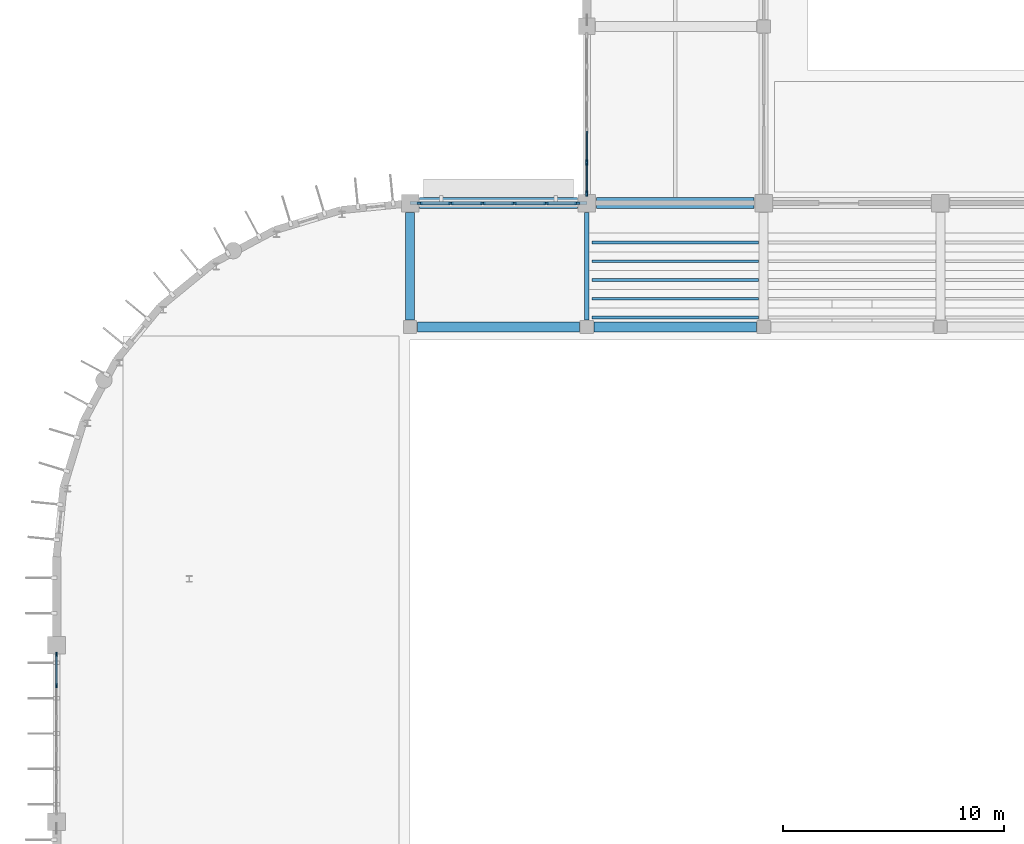
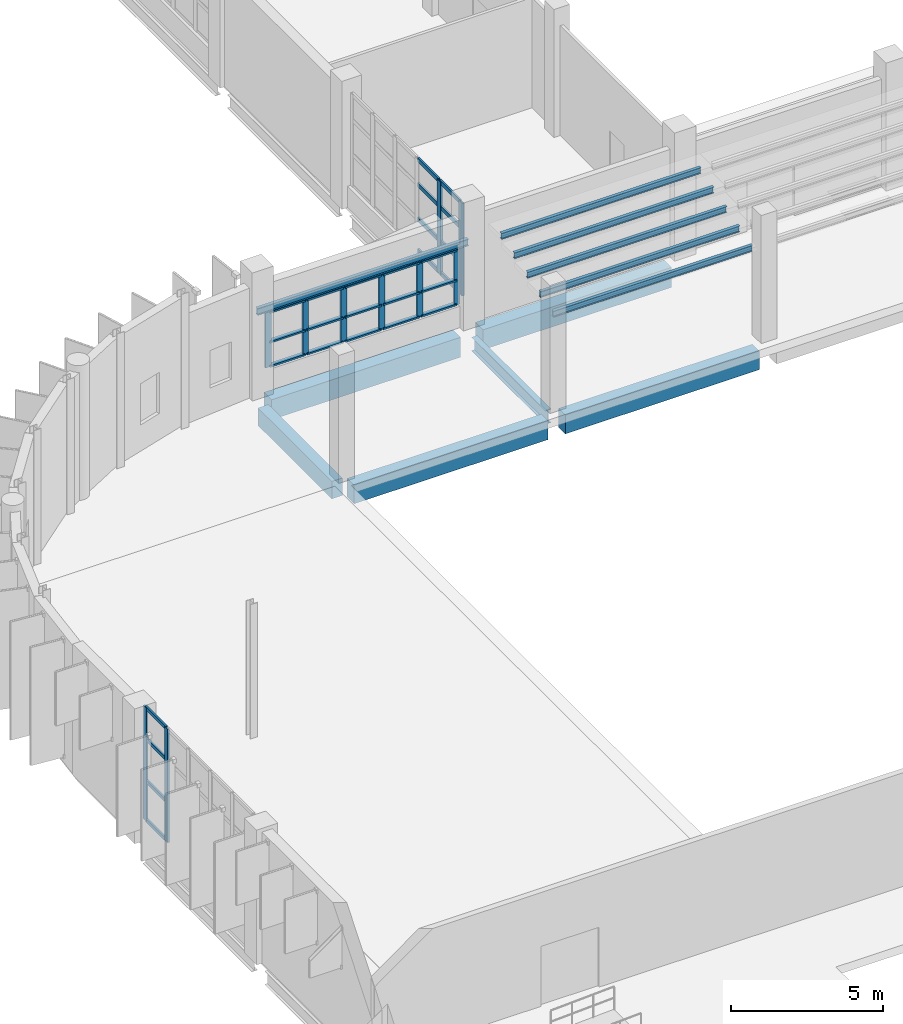
# One storey, part 26 of 103: 37 members, 12 beams, 3 elements without a shape of their own.
"""IFC4 building model written with IfcOpenShell, lengths in metres."""

import ifcopenshell
import ifcopenshell.guid

model = None  # the IFC model being written
_history = None  # IfcOwnerHistory: only IFC2X3 demands one
_inside = {}  # id of a spatial element -> (the spatial element, [elements in it])
_under = {}  # id of a project, library or spatial element -> (it, [spatial elements below it])
_declared = {}  # id of a project -> (the project, [libraries it declares])
_typed = {}  # id of a type object -> (the type object, [elements of that type])
_made_of = {}  # id of a material, layer set ... -> (it, [elements and type objects made of it])


def new_model(schema):
    """Start an empty IFC model of exactly this schema.

    Asked for "IFC4X3", IfcOpenShell would pick the latest addendum, in which some entities
    have other attributes; the version numbers below select the first issue.
    IFC2X3 requires an IfcOwnerHistory on every rooted entity: one is made here for all.
    """
    global model, _history
    if schema == "IFC4X3":
        model = ifcopenshell.file(schema_version=(4, 3, 0, 0))
    else:
        model = ifcopenshell.file(schema=schema)
    _inside.clear()
    _under.clear()
    _declared.clear()
    _typed.clear()
    _made_of.clear()
    _history = None
    if model.schema == "IFC2X3":
        org = make("IfcOrganization", Name="unknown")
        user = make(
            "IfcPersonAndOrganization",
            ThePerson=make("IfcPerson", FamilyName="unknown"),
            TheOrganization=org,
        )
        app = make(
            "IfcApplication",
            ApplicationDeveloper=org,
            Version="unknown",
            ApplicationFullName="unknown",
            ApplicationIdentifier="unknown",
        )
        _history = make(
            "IfcOwnerHistory",
            OwningUser=user,
            OwningApplication=app,
            ChangeAction="ADDED",
            CreationDate=0,
        )
    return model


def make(cls, **values):
    """One entity of the class cls with the attributes given. An attribute that is None is left unset."""
    return model.create_entity(
        cls, **{name: value for name, value in values.items() if value is not None}
    )


def rooted(cls, **values):
    """An entity with a GlobalId (a new one), such as an element, a storey or a relation."""
    return make(cls, GlobalId=ifcopenshell.guid.new(), OwnerHistory=_history, **values)


def si_unit(unit_type, name, prefix=None):
    """IfcSIUnit, for example si_unit("LENGTHUNIT", "METRE", prefix="MILLI")."""
    return make("IfcSIUnit", UnitType=unit_type, Prefix=prefix, Name=name)


def assignment(units):
    """IfcUnitAssignment: the units of a project."""
    return None if units is None else make("IfcUnitAssignment", Units=units)


def point(xyz):
    """IfcCartesianPoint."""
    return None if xyz is None else make("IfcCartesianPoint", Coordinates=xyz)


def direction(xyz):
    """IfcDirection."""
    return None if xyz is None else make("IfcDirection", DirectionRatios=xyz)


def frame(location, z_axis=None, x_axis=None):
    """IfcAxis2Placement3D, a coordinate frame: its origin and axes. An axis left out is left unset."""
    return make(
        "IfcAxis2Placement3D",
        Location=point(location),
        Axis=direction(z_axis),
        RefDirection=direction(x_axis),
    )


def frame_2d(location, x_axis=None):
    """IfcAxis2Placement2D, a coordinate frame in the plane: its origin and x axis."""
    return make(
        "IfcAxis2Placement2D", Location=point(location), RefDirection=direction(x_axis)
    )


def origin():
    """The frame at (0, 0, 0) with its axes left unset."""
    return frame((0.0, 0.0, 0.0))


def origin_2d():
    """The frame at (0, 0) in the plane with its x axis left unset."""
    return frame_2d((0.0, 0.0))


def place(relative_to, where):
    """IfcLocalPlacement: puts the frame where relative to a parent placement (None: the world)."""
    return make(
        "IfcLocalPlacement", PlacementRelTo=relative_to, RelativePlacement=where
    )


def context(
    kind, dimensions, precision=None, world=None, true_north=None, identifier=None
):
    """IfcGeometricRepresentationContext, for example the 3D "Model" context."""
    return make(
        "IfcGeometricRepresentationContext",
        ContextIdentifier=identifier,
        ContextType=kind,
        CoordinateSpaceDimension=dimensions,
        Precision=precision,
        WorldCoordinateSystem=world,
        TrueNorth=true_north,
    )


def subcontext(parent, identifier, kind, view, scale=None):
    """IfcGeometricRepresentationSubContext, for example "Body" below "Model"."""
    return make(
        "IfcGeometricRepresentationSubContext",
        ContextIdentifier=identifier,
        ContextType=kind,
        ParentContext=parent,
        TargetScale=scale,
        TargetView=view,
    )


def project(units=None, contexts=None):
    """IfcProject with its units and contexts."""
    return rooted(
        "IfcProject",
        Name="project",
        RepresentationContexts=contexts,
        UnitsInContext=assignment(units),
    )


def spatial(cls, under=None, at=None, **own):
    """A site, building, storey or space (cls), placed at a placement, below another one or the project."""
    s = rooted(cls, ObjectPlacement=at, **own)
    if under is not None:
        _under.setdefault(under.id(), (under, []))[1].append(s)
    return s


def profile(cls, at=None, kind="AREA", **sizes):
    """A parametric profile (cls). Its sizes go by their IFC names, for example OverallWidth=200.0."""
    return make(cls, ProfileType=kind, Position=at, **sizes)


def rectangle(**sizes):
    """IfcRectangleProfileDef."""
    return profile("IfcRectangleProfileDef", **sizes)


def i_section(**sizes):
    """IfcIShapeProfileDef."""
    return profile("IfcIShapeProfileDef", **sizes)


def extrude(swept, where, along, depth):
    """IfcExtrudedAreaSolid: the profile swept, set in the frame where, extruded along a direction by depth."""
    return make(
        "IfcExtrudedAreaSolid",
        SweptArea=swept,
        Position=where,
        ExtrudedDirection=direction(along),
        Depth=depth,
    )


def shape(context_of_items, identifier, shape_type, items):
    """IfcShapeRepresentation: the items that make up one representation, for example the "Body"."""
    return make(
        "IfcShapeRepresentation",
        ContextOfItems=context_of_items,
        RepresentationIdentifier=identifier,
        RepresentationType=shape_type,
        Items=items,
    )


def material(Name=None, Category=None):
    """IfcMaterial."""
    return make("IfcMaterial", Name=Name, Category=Category)


def layer(
    of_material, thickness, ventilated=None, Name=None, Category=None, Priority=None
):
    """IfcMaterialLayer: one layer of a wall or slab, of a material (None: an air gap)."""
    return make(
        "IfcMaterialLayer",
        Material=of_material,
        LayerThickness=thickness,
        IsVentilated=ventilated,
        Name=Name,
        Category=Category,
        Priority=Priority,
    )


def layer_set(layers, Name=None):
    """IfcMaterialLayerSet."""
    return make("IfcMaterialLayerSet", MaterialLayers=layers, LayerSetName=Name)


def material_profile(
    of_material, cross_section, Name=None, Category=None, Priority=None
):
    """IfcMaterialProfile: a cross section and its material."""
    return make(
        "IfcMaterialProfile",
        Name=Name,
        Material=of_material,
        Profile=cross_section,
        Priority=Priority,
        Category=Category,
    )


def profile_set(profiles, Name=None, composite=None):
    """IfcMaterialProfileSet."""
    return make(
        "IfcMaterialProfileSet",
        Name=Name,
        MaterialProfiles=profiles,
        CompositeProfile=composite,
    )


def made_of(thing, what):
    """Note that an element or type object is made of a material, layer set ...; save() writes the relation."""
    if what is not None:
        _made_of.setdefault(what.id(), (what, []))[1].append(thing)
    return thing


def type_object(cls, material=None, **own):
    """A type object (cls), such as IfcWallType, which elements share."""
    return made_of(rooted(cls, **own), material)


def element(
    cls,
    number,
    at=None,
    inside=None,
    cuts=None,
    type_object=None,
    material=None,
    context=None,
    identifier="Body",
    shape_type=None,
    held_by="IfcProductDefinitionShape",
    body=None,
    shapes=None,
    **own,
):
    """One element of the class cls, such as IfcWall. Its Tag is "e" and its number.

    at: its placement. inside: the storey or other place that contains it. cuts: it is an
    opening in that element (IfcRelVoidsElement). A single representation is given by context,
    identifier, shape_type and body (its items); several are given by shapes. held_by: the class
    of the entity that holds the representations. save() writes the other relations.
    """
    e = rooted(cls, Tag="e%d" % number, ObjectPlacement=at, **own)
    if body is not None:
        shapes = [shape(context, identifier, shape_type, body)]
    if shapes is not None:
        e.Representation = make(held_by, Representations=shapes)
    if inside is not None:
        _inside.setdefault(inside.id(), (inside, []))[1].append(e)
    if cuts is not None:
        rooted(
            "IfcRelVoidsElement", RelatingBuildingElement=cuts, RelatedOpeningElement=e
        )
    if type_object is not None:
        _typed.setdefault(type_object.id(), (type_object, []))[1].append(e)
    return made_of(e, material)


def aggregate(whole, parts):
    """IfcRelAggregates: a whole, such as a stair, and the parts it consists of."""
    return rooted("IfcRelAggregates", RelatingObject=whole, RelatedObjects=parts)


def save(model, path):
    """Write the relations noted so far, then the file.

    IfcRelAggregates (storeys below a building ...), IfcRelContainedInSpatialStructure (elements
    in a storey), IfcRelDefinesByType, IfcRelAssociatesMaterial and IfcRelDeclares: one each for
    every whole, place, type object, material and project.
    """
    for whole, parts in _under.values():
        aggregate(whole, parts)
    for where, things in _inside.values():
        rooted(
            "IfcRelContainedInSpatialStructure",
            RelatedElements=things,
            RelatingStructure=where,
        )
    for kind, things in _typed.values():
        rooted("IfcRelDefinesByType", RelatedObjects=things, RelatingType=kind)
    for what, things in _made_of.values():
        rooted("IfcRelAssociatesMaterial", RelatedObjects=things, RelatingMaterial=what)
    for by, libraries in _declared.values():
        rooted("IfcRelDeclares", RelatingContext=by, RelatedDefinitions=libraries)
    model.write(path)


model = new_model("IFC4")

# Units and contexts
model_context = context("Model", 3, precision=1e-05, world=origin(), true_north=direction((0.0, 1.0)))
body_context = subcontext(model_context, "Body", "Model", "MODEL_VIEW")
ifc_project = project(units=[si_unit("LENGTHUNIT", "METRE"), si_unit("AREAUNIT", "SQUARE_METRE"), si_unit("VOLUMEUNIT", "CUBIC_METRE"), si_unit("PLANEANGLEUNIT", "RADIAN"), si_unit("MASSUNIT", "GRAM", prefix="KILO")], contexts=[model_context])

# Site, building, storey
site_placement = place(None, origin())
site = spatial("IfcSite", under=ifc_project, at=site_placement, CompositionType="ELEMENT")
building_placement = place(site_placement, origin())
building = spatial("IfcBuilding", under=site, at=building_placement, Name="Drelvana Railside Aquatics Centre", CompositionType="ELEMENT")
storey_placement = place(building_placement, origin())
storey = spatial("IfcBuildingStorey", under=building, at=storey_placement, Name="L00", CompositionType="ELEMENT", Elevation=0.0)

# Curtain wall, members
ifc_material_1 = material(Name="Bronze-anodised aluminium curtain wall", Category="aluminium")
ifc_layer_1 = layer(ifc_material_1, 0.199951171875, Name="Bronze-anodised aluminium curtain wall")
ifc_layer_set_1 = layer_set([ifc_layer_1], Name="Bronze-anodised aluminium curtain wall")
curtain_wall_type_1 = type_object("IfcCurtainWallType", Name="CW-Z1-SINE", PredefinedType="NOTDEFINED", material=ifc_layer_set_1)
curtain_wall_1_placement = place(storey_placement, origin())
curtain_wall_1 = element("IfcCurtainWall", 1, at=curtain_wall_1_placement, inside=storey, type_object=curtain_wall_type_1, Name="Curtain wall CW-01-017", PredefinedType="NOTDEFINED")
ifc_material_2 = material(Name="Bronze-anodised aluminium 6063-T6", Category="aluminium")
ifc_material_profile_1 = material_profile(ifc_material_2, rectangle(XDim=0.074951171875, YDim=0.22509765625, at=origin_2d()), Name="ALU-M 75x225")
ifc_profile_set_1 = profile_set([ifc_material_profile_1], Name="Bronze-anodised aluminium 6063-T6")
member_type_1 = type_object("IfcMemberType", Name="CW-Z1-SINE-MUL", PredefinedType="MULLION", material=ifc_profile_set_1)
member_1_placement = place(storey_placement, frame((16.431396484375, 84.0, 0.843994140625), z_axis=(0.0, 0.0, 1.0), x_axis=(0.0, 1.0, 0.0)))
member_1 = element("IfcMember", 2, at=member_1_placement, type_object=member_type_1, Name="CW-01 mullion 1", PredefinedType="MULLION", context=body_context, shape_type="SweptSolid", body=[
    extrude(rectangle(XDim=0.074951171875, YDim=0.22509765625, at=origin_2d()), origin(), (0.0, 0.0, 1.0), 2.236083984375),
])
member_2_placement = place(storey_placement, frame((17.83642578125, 84.0, 0.843994140625), z_axis=(0.0, 0.0, 1.0), x_axis=(0.0, 1.0, 0.0)))
member_2 = element("IfcMember", 3, at=member_2_placement, type_object=member_type_1, Name="CW-01 mullion 2", PredefinedType="MULLION", context=body_context, shape_type="SweptSolid", body=[
    extrude(rectangle(XDim=0.074951171875, YDim=0.22509765625, at=origin_2d()), origin(), (0.0, 0.0, 1.0), 2.236083984375),
])
member_3_placement = place(storey_placement, frame((19.27880859375, 84.0, 0.843994140625), z_axis=(0.0, 0.0, 1.0), x_axis=(0.0, 1.0, 0.0)))
member_3 = element("IfcMember", 4, at=member_3_placement, type_object=member_type_1, Name="CW-01 mullion 3", PredefinedType="MULLION", context=body_context, shape_type="SweptSolid", body=[
    extrude(rectangle(XDim=0.074951171875, YDim=0.22509765625, at=origin_2d()), origin(), (0.0, 0.0, 1.0), 2.236083984375),
])
member_4_placement = place(storey_placement, frame((20.72119140625, 84.0, 0.843994140625), z_axis=(0.0, 0.0, 1.0), x_axis=(0.0, 1.0, 0.0)))
member_4 = element("IfcMember", 5, at=member_4_placement, type_object=member_type_1, Name="CW-01 mullion 4", PredefinedType="MULLION", context=body_context, shape_type="SweptSolid", body=[
    extrude(rectangle(XDim=0.074951171875, YDim=0.22509765625, at=origin_2d()), origin(), (0.0, 0.0, 1.0), 2.236083984375),
])
member_5_placement = place(storey_placement, frame((22.16357421875, 84.0, 0.843994140625), z_axis=(0.0, 0.0, 1.0), x_axis=(0.0, 1.0, 0.0)))
member_5 = element("IfcMember", 6, at=member_5_placement, type_object=member_type_1, Name="CW-01 mullion 5", PredefinedType="MULLION", context=body_context, shape_type="SweptSolid", body=[
    extrude(rectangle(XDim=0.074951171875, YDim=0.22509765625, at=origin_2d()), origin(), (0.0, 0.0, 1.0), 2.236083984375),
])
member_6_placement = place(storey_placement, frame((23.568603515625, 84.0, 0.843994140625), z_axis=(0.0, 0.0, 1.0), x_axis=(0.0, 1.0, 0.0)))
member_6 = element("IfcMember", 7, at=member_6_placement, type_object=member_type_1, Name="CW-01 mullion 6", PredefinedType="MULLION", context=body_context, shape_type="SweptSolid", body=[
    extrude(rectangle(XDim=0.074951171875, YDim=0.22509765625, at=origin_2d()), origin(), (0.0, 0.0, 1.0), 2.236083984375),
])
ifc_material_profile_2 = material_profile(ifc_material_2, rectangle(XDim=0.159912109375, YDim=0.070068359375, at=origin_2d()), Name="ALU-T 70x160")
ifc_profile_set_2 = profile_set([ifc_material_profile_2], Name="Bronze-anodised aluminium 6063-T6")
member_type_2 = type_object("IfcMemberType", Name="CW-Z1-SINE-TRN", PredefinedType="USERDEFINED", material=ifc_profile_set_2)
member_7_placement = place(storey_placement, frame((16.464111328125, 84.0, 0.87890625), z_axis=(1.0, 0.0, 0.0), x_axis=(0.0, 1.0, 0.0)))
member_7 = element("IfcMember", 8, at=member_7_placement, type_object=member_type_2, Name="CW-01 transom 1.1", ObjectType="TRANSOM", PredefinedType="USERDEFINED", context=body_context, shape_type="SweptSolid", body=[
    extrude(rectangle(XDim=0.159912109375, YDim=0.070068359375, at=origin_2d()), origin(), (0.0, 0.0, 1.0), 1.33984375),
])
member_8_placement = place(storey_placement, frame((16.464111328125, 84.0, 1.85009765625), z_axis=(1.0, 0.0, 0.0), x_axis=(0.0, 1.0, 0.0)))
member_8 = element("IfcMember", 9, at=member_8_placement, type_object=member_type_2, Name="CW-01 transom 1.2", ObjectType="TRANSOM", PredefinedType="USERDEFINED", context=body_context, shape_type="SweptSolid", body=[
    extrude(rectangle(XDim=0.159912109375, YDim=0.070068359375, at=origin_2d()), origin(), (0.0, 0.0, 1.0), 1.33984375),
])
member_9_placement = place(storey_placement, frame((16.464111328125, 84.0, 3.044921875), z_axis=(1.0, 0.0, 0.0), x_axis=(0.0, 1.0, 0.0)))
member_9 = element("IfcMember", 10, at=member_9_placement, type_object=member_type_2, Name="CW-01 transom 1.3", ObjectType="TRANSOM", PredefinedType="USERDEFINED", context=body_context, shape_type="SweptSolid", body=[
    extrude(rectangle(XDim=0.159912109375, YDim=0.070068359375, at=origin_2d()), origin(), (0.0, 0.0, 1.0), 1.33984375),
])
member_10_placement = place(storey_placement, frame((17.868896484375, 84.0, 0.87890625), z_axis=(1.0, 0.0, 0.0), x_axis=(0.0, 1.0, 0.0)))
member_10 = element("IfcMember", 11, at=member_10_placement, type_object=member_type_2, Name="CW-01 transom 2.1", ObjectType="TRANSOM", PredefinedType="USERDEFINED", context=body_context, shape_type="SweptSolid", body=[
    extrude(rectangle(XDim=0.159912109375, YDim=0.070068359375, at=origin_2d()), origin(), (0.0, 0.0, 1.0), 1.37744140625),
])
member_11_placement = place(storey_placement, frame((17.868896484375, 84.0, 1.85009765625), z_axis=(1.0, 0.0, 0.0), x_axis=(0.0, 1.0, 0.0)))
member_11 = element("IfcMember", 12, at=member_11_placement, type_object=member_type_2, Name="CW-01 transom 2.2", ObjectType="TRANSOM", PredefinedType="USERDEFINED", context=body_context, shape_type="SweptSolid", body=[
    extrude(rectangle(XDim=0.159912109375, YDim=0.070068359375, at=origin_2d()), origin(), (0.0, 0.0, 1.0), 1.37744140625),
])
member_12_placement = place(storey_placement, frame((17.868896484375, 84.0, 3.044921875), z_axis=(1.0, 0.0, 0.0), x_axis=(0.0, 1.0, 0.0)))
member_12 = element("IfcMember", 13, at=member_12_placement, type_object=member_type_2, Name="CW-01 transom 2.3", ObjectType="TRANSOM", PredefinedType="USERDEFINED", context=body_context, shape_type="SweptSolid", body=[
    extrude(rectangle(XDim=0.159912109375, YDim=0.070068359375, at=origin_2d()), origin(), (0.0, 0.0, 1.0), 1.37744140625),
])
member_13_placement = place(storey_placement, frame((19.311279296875, 84.0, 0.87890625), z_axis=(1.0, 0.0, 0.0), x_axis=(0.0, 1.0, 0.0)))
member_13 = element("IfcMember", 14, at=member_13_placement, type_object=member_type_2, Name="CW-01 transom 3.1", ObjectType="TRANSOM", PredefinedType="USERDEFINED", context=body_context, shape_type="SweptSolid", body=[
    extrude(rectangle(XDim=0.159912109375, YDim=0.070068359375, at=origin_2d()), origin(), (0.0, 0.0, 1.0), 1.37744140625),
])
member_14_placement = place(storey_placement, frame((19.311279296875, 84.0, 1.85009765625), z_axis=(1.0, 0.0, 0.0), x_axis=(0.0, 1.0, 0.0)))
member_14 = element("IfcMember", 15, at=member_14_placement, type_object=member_type_2, Name="CW-01 transom 3.2", ObjectType="TRANSOM", PredefinedType="USERDEFINED", context=body_context, shape_type="SweptSolid", body=[
    extrude(rectangle(XDim=0.159912109375, YDim=0.070068359375, at=origin_2d()), origin(), (0.0, 0.0, 1.0), 1.37744140625),
])
member_15_placement = place(storey_placement, frame((19.311279296875, 84.0, 3.044921875), z_axis=(1.0, 0.0, 0.0), x_axis=(0.0, 1.0, 0.0)))
member_15 = element("IfcMember", 16, at=member_15_placement, type_object=member_type_2, Name="CW-01 transom 3.3", ObjectType="TRANSOM", PredefinedType="USERDEFINED", context=body_context, shape_type="SweptSolid", body=[
    extrude(rectangle(XDim=0.159912109375, YDim=0.070068359375, at=origin_2d()), origin(), (0.0, 0.0, 1.0), 1.37744140625),
])
member_16_placement = place(storey_placement, frame((20.753662109375, 84.0, 0.87890625), z_axis=(1.0, 0.0, 0.0), x_axis=(0.0, 1.0, 0.0)))
member_16 = element("IfcMember", 17, at=member_16_placement, type_object=member_type_2, Name="CW-01 transom 4.1", ObjectType="TRANSOM", PredefinedType="USERDEFINED", context=body_context, shape_type="SweptSolid", body=[
    extrude(rectangle(XDim=0.159912109375, YDim=0.070068359375, at=origin_2d()), origin(), (0.0, 0.0, 1.0), 1.37744140625),
])
member_17_placement = place(storey_placement, frame((20.753662109375, 84.0, 1.85009765625), z_axis=(1.0, 0.0, 0.0), x_axis=(0.0, 1.0, 0.0)))
member_17 = element("IfcMember", 18, at=member_17_placement, type_object=member_type_2, Name="CW-01 transom 4.2", ObjectType="TRANSOM", PredefinedType="USERDEFINED", context=body_context, shape_type="SweptSolid", body=[
    extrude(rectangle(XDim=0.159912109375, YDim=0.070068359375, at=origin_2d()), origin(), (0.0, 0.0, 1.0), 1.37744140625),
])
member_18_placement = place(storey_placement, frame((20.753662109375, 84.0, 3.044921875), z_axis=(1.0, 0.0, 0.0), x_axis=(0.0, 1.0, 0.0)))
member_18 = element("IfcMember", 19, at=member_18_placement, type_object=member_type_2, Name="CW-01 transom 4.3", ObjectType="TRANSOM", PredefinedType="USERDEFINED", context=body_context, shape_type="SweptSolid", body=[
    extrude(rectangle(XDim=0.159912109375, YDim=0.070068359375, at=origin_2d()), origin(), (0.0, 0.0, 1.0), 1.37744140625),
])
member_19_placement = place(storey_placement, frame((22.196044921875, 84.0, 0.87890625), z_axis=(1.0, 0.0, 0.0), x_axis=(0.0, 1.0, 0.0)))
member_19 = element("IfcMember", 20, at=member_19_placement, type_object=member_type_2, Name="CW-01 transom 5.1", ObjectType="TRANSOM", PredefinedType="USERDEFINED", context=body_context, shape_type="SweptSolid", body=[
    extrude(rectangle(XDim=0.159912109375, YDim=0.070068359375, at=origin_2d()), origin(), (0.0, 0.0, 1.0), 1.33984375),
])
member_20_placement = place(storey_placement, frame((22.196044921875, 84.0, 1.85009765625), z_axis=(1.0, 0.0, 0.0), x_axis=(0.0, 1.0, 0.0)))
member_20 = element("IfcMember", 21, at=member_20_placement, type_object=member_type_2, Name="CW-01 transom 5.2", ObjectType="TRANSOM", PredefinedType="USERDEFINED", context=body_context, shape_type="SweptSolid", body=[
    extrude(rectangle(XDim=0.159912109375, YDim=0.070068359375, at=origin_2d()), origin(), (0.0, 0.0, 1.0), 1.33984375),
])
member_21_placement = place(storey_placement, frame((22.196044921875, 84.0, 3.044921875), z_axis=(1.0, 0.0, 0.0), x_axis=(0.0, 1.0, 0.0)))
member_21 = element("IfcMember", 22, at=member_21_placement, type_object=member_type_2, Name="CW-01 transom 5.3", ObjectType="TRANSOM", PredefinedType="USERDEFINED", context=body_context, shape_type="SweptSolid", body=[
    extrude(rectangle(XDim=0.159912109375, YDim=0.070068359375, at=origin_2d()), origin(), (0.0, 0.0, 1.0), 1.33984375),
])
aggregate(curtain_wall_1, [member_1, member_2, member_3, member_4, member_5, member_6, member_7, member_8, member_9, member_10, member_11, member_12, member_13, member_14, member_15, member_16, member_17, member_18, member_19, member_20, member_21])

ifc_layer_2 = layer(ifc_material_1, 0.179931640625, Name="Bronze-anodised aluminium curtain wall")
ifc_layer_set_2 = layer_set([ifc_layer_2], Name="Bronze-anodised aluminium curtain wall")
curtain_wall_type_2 = type_object("IfcCurtainWallType", Name="CW-Z2-CLER", PredefinedType="NOTDEFINED", material=ifc_layer_set_2)
curtain_wall_2_placement = place(storey_placement, origin())
curtain_wall_2 = element("IfcCurtainWall", 23, at=curtain_wall_2_placement, inside=storey, type_object=curtain_wall_type_2, Name="Curtain wall CW-02-050", PredefinedType="NOTDEFINED")
ifc_material_profile_3 = material_profile(ifc_material_2, rectangle(XDim=0.070068359375, YDim=0.199951171875, at=origin_2d()), Name="ALU-M 70x200")
ifc_profile_set_3 = profile_set([ifc_material_profile_3], Name="Bronze-anodised aluminium 6063-T6")
member_type_3 = type_object("IfcMemberType", Name="CW-Z2-CLER-MUL", PredefinedType="MULLION", material=ifc_profile_set_3)
member_22_placement = place(storey_placement, frame((0.0, 62.16357421875, 0.843994140625), z_axis=(0.0, 0.0, 1.0), x_axis=(-1.0, 0.0, 0.0)))
member_22 = element("IfcMember", 24, at=member_22_placement, type_object=member_type_3, Name="CW-02 mullion 5", PredefinedType="MULLION", context=body_context, shape_type="SweptSolid", body=[
    extrude(rectangle(XDim=0.070068359375, YDim=0.199951171875, at=origin_2d()), origin(), (0.0, 0.0, 1.0), 4.5458984375),
])
member_23_placement = place(storey_placement, frame((0.0, 63.571044921875, 0.843994140625), z_axis=(0.0, 0.0, 1.0), x_axis=(-1.0, 0.0, 0.0)))
member_23 = element("IfcMember", 25, at=member_23_placement, type_object=member_type_3, Name="CW-02 mullion 6", PredefinedType="MULLION", context=body_context, shape_type="SweptSolid", body=[
    extrude(rectangle(XDim=0.070068359375, YDim=0.199951171875, at=origin_2d()), origin(), (0.0, 0.0, 1.0), 4.5458984375),
])
ifc_material_profile_4 = material_profile(ifc_material_2, rectangle(XDim=0.139892578125, YDim=0.06494140625, at=origin_2d()), Name="ALU-T 65x140")
ifc_profile_set_4 = profile_set([ifc_material_profile_4], Name="Bronze-anodised aluminium 6063-T6")
member_type_4 = type_object("IfcMemberType", Name="CW-Z2-CLER-TRN", PredefinedType="USERDEFINED", material=ifc_profile_set_4)
member_24_placement = place(storey_placement, frame((0.0, 62.193603515625, 0.87646484375), z_axis=(0.0, 1.0, 0.0), x_axis=(0.0, 0.0, 1.0)))
member_24 = element("IfcMember", 26, at=member_24_placement, type_object=member_type_4, Name="CW-02 transom 5.1", ObjectType="TRANSOM", PredefinedType="USERDEFINED", context=body_context, shape_type="SweptSolid", body=[
    extrude(rectangle(XDim=0.139892578125, YDim=0.06494140625, at=origin_2d()), origin(), (0.0, 0.0, 1.0), 1.347412109375),
])
member_25_placement = place(storey_placement, frame((0.0, 62.193603515625, 2.43505859375), z_axis=(0.0, 1.0, 0.0), x_axis=(0.0, 0.0, 1.0)))
member_25 = element("IfcMember", 27, at=member_25_placement, type_object=member_type_4, Name="CW-02 transom 5.2", ObjectType="TRANSOM", PredefinedType="USERDEFINED", context=body_context, shape_type="SweptSolid", body=[
    extrude(rectangle(XDim=0.139892578125, YDim=0.06494140625, at=origin_2d()), origin(), (0.0, 0.0, 1.0), 1.347412109375),
])
member_26_placement = place(storey_placement, frame((0.0, 62.193603515625, 4.116943359375), z_axis=(0.0, 1.0, 0.0), x_axis=(0.0, 0.0, 1.0)))
member_26 = element("IfcMember", 28, at=member_26_placement, type_object=member_type_4, Name="CW-02 transom 5.3", ObjectType="TRANSOM", PredefinedType="USERDEFINED", context=body_context, shape_type="SweptSolid", body=[
    extrude(rectangle(XDim=0.139892578125, YDim=0.06494140625, at=origin_2d()), origin(), (0.0, 0.0, 1.0), 1.347412109375),
])
member_27_placement = place(storey_placement, frame((0.0, 62.193603515625, 5.357421875), z_axis=(0.0, 1.0, 0.0), x_axis=(0.0, 0.0, 1.0)))
member_27 = element("IfcMember", 29, at=member_27_placement, type_object=member_type_4, Name="CW-02 transom 5.4", ObjectType="TRANSOM", PredefinedType="USERDEFINED", context=body_context, shape_type="SweptSolid", body=[
    extrude(rectangle(XDim=0.139892578125, YDim=0.06494140625, at=origin_2d()), origin(), (0.0, 0.0, 1.0), 1.347412109375),
])
aggregate(curtain_wall_2, [member_22, member_23, member_24, member_25, member_26, member_27])

ifc_layer_3 = layer(ifc_material_1, 0.2099609375, Name="Bronze-anodised aluminium curtain wall")
ifc_layer_set_3 = layer_set([ifc_layer_3], Name="Bronze-anodised aluminium curtain wall")
curtain_wall_type_3 = type_object("IfcCurtainWallType", Name="CW-Z7-DIVE", PredefinedType="NOTDEFINED", material=ifc_layer_set_3)
curtain_wall_3_placement = place(storey_placement, origin())
curtain_wall_3 = element("IfcCurtainWall", 30, at=curtain_wall_3_placement, inside=storey, type_object=curtain_wall_type_3, Name="Curtain wall CW-07-081", PredefinedType="NOTDEFINED")
ifc_material_profile_5 = material_profile(ifc_material_2, rectangle(XDim=0.080078125, YDim=0.25, at=origin_2d()), Name="ALU-M 80x250")
ifc_profile_set_5 = profile_set([ifc_material_profile_5], Name="Bronze-anodised aluminium 6063-T6")
member_type_5 = type_object("IfcMemberType", Name="CW-Z7-DIVE-MUL", PredefinedType="MULLION", material=ifc_profile_set_5)
member_28_placement = place(storey_placement, frame((24.0, 84.43408203125, 0.843994140625), z_axis=(0.0, 0.0, 1.0), x_axis=(-1.0, 0.0, 0.0)))
member_28 = element("IfcMember", 31, at=member_28_placement, type_object=member_type_5, Name="CW-07 mullion 1", PredefinedType="MULLION", context=body_context, shape_type="SweptSolid", body=[
    extrude(rectangle(XDim=0.080078125, YDim=0.25, at=origin_2d()), origin(), (0.0, 0.0, 1.0), 3.7109375),
])
member_29_placement = place(storey_placement, frame((24.0, 85.84130859375, 0.843994140625), z_axis=(0.0, 0.0, 1.0), x_axis=(-1.0, 0.0, 0.0)))
member_29 = element("IfcMember", 32, at=member_29_placement, type_object=member_type_5, Name="CW-07 mullion 2", PredefinedType="MULLION", context=body_context, shape_type="SweptSolid", body=[
    extrude(rectangle(XDim=0.080078125, YDim=0.25, at=origin_2d()), origin(), (0.0, 0.0, 1.0), 3.7109375),
])
ifc_material_profile_6 = material_profile(ifc_material_2, rectangle(XDim=0.159912109375, YDim=0.070068359375, at=origin_2d()), Name="ALU-T 70x160")
ifc_profile_set_6 = profile_set([ifc_material_profile_6], Name="Bronze-anodised aluminium 6063-T6")
member_type_6 = type_object("IfcMemberType", Name="CW-Z7-DIVE-TRN", PredefinedType="USERDEFINED", material=ifc_profile_set_6)
member_30_placement = place(storey_placement, frame((24.0, 84.468994140625, 0.87890625), z_axis=(0.0, 1.0, 0.0), x_axis=(0.0, 0.0, 1.0)))
member_30 = element("IfcMember", 33, at=member_30_placement, type_object=member_type_6, Name="CW-07 transom 1.1", ObjectType="TRANSOM", PredefinedType="USERDEFINED", context=body_context, shape_type="SweptSolid", body=[
    extrude(rectangle(XDim=0.159912109375, YDim=0.070068359375, at=origin_2d()), origin(), (0.0, 0.0, 1.0), 1.33740234375),
])
member_31_placement = place(storey_placement, frame((24.0, 84.468994140625, 2.14306640625), z_axis=(0.0, 1.0, 0.0), x_axis=(0.0, 0.0, 1.0)))
member_31 = element("IfcMember", 34, at=member_31_placement, type_object=member_type_6, Name="CW-07 transom 1.2", ObjectType="TRANSOM", PredefinedType="USERDEFINED", context=body_context, shape_type="SweptSolid", body=[
    extrude(rectangle(XDim=0.159912109375, YDim=0.070068359375, at=origin_2d()), origin(), (0.0, 0.0, 1.0), 1.33740234375),
])
member_32_placement = place(storey_placement, frame((24.0, 84.468994140625, 3.51611328125), z_axis=(0.0, 1.0, 0.0), x_axis=(0.0, 0.0, 1.0)))
member_32 = element("IfcMember", 35, at=member_32_placement, type_object=member_type_6, Name="CW-07 transom 1.3", ObjectType="TRANSOM", PredefinedType="USERDEFINED", context=body_context, shape_type="SweptSolid", body=[
    extrude(rectangle(XDim=0.159912109375, YDim=0.070068359375, at=origin_2d()), origin(), (0.0, 0.0, 1.0), 1.33740234375),
])
member_33_placement = place(storey_placement, frame((24.0, 84.468994140625, 4.52001953125), z_axis=(0.0, 1.0, 0.0), x_axis=(0.0, 0.0, 1.0)))
member_33 = element("IfcMember", 36, at=member_33_placement, type_object=member_type_6, Name="CW-07 transom 1.4", ObjectType="TRANSOM", PredefinedType="USERDEFINED", context=body_context, shape_type="SweptSolid", body=[
    extrude(rectangle(XDim=0.159912109375, YDim=0.070068359375, at=origin_2d()), origin(), (0.0, 0.0, 1.0), 1.33740234375),
])
member_34_placement = place(storey_placement, frame((24.0, 85.87646484375, 0.87890625), z_axis=(0.0, 1.0, 0.0), x_axis=(0.0, 0.0, 1.0)))
member_34 = element("IfcMember", 37, at=member_34_placement, type_object=member_type_6, Name="CW-07 transom 2.1", ObjectType="TRANSOM", PredefinedType="USERDEFINED", context=body_context, shape_type="SweptSolid", body=[
    extrude(rectangle(XDim=0.159912109375, YDim=0.070068359375, at=origin_2d()), origin(), (0.0, 0.0, 1.0), 1.37744140625),
])
member_35_placement = place(storey_placement, frame((24.0, 85.87646484375, 2.14306640625), z_axis=(0.0, 1.0, 0.0), x_axis=(0.0, 0.0, 1.0)))
member_35 = element("IfcMember", 38, at=member_35_placement, type_object=member_type_6, Name="CW-07 transom 2.2", ObjectType="TRANSOM", PredefinedType="USERDEFINED", context=body_context, shape_type="SweptSolid", body=[
    extrude(rectangle(XDim=0.159912109375, YDim=0.070068359375, at=origin_2d()), origin(), (0.0, 0.0, 1.0), 1.37744140625),
])
member_36_placement = place(storey_placement, frame((24.0, 85.87646484375, 3.51611328125), z_axis=(0.0, 1.0, 0.0), x_axis=(0.0, 0.0, 1.0)))
member_36 = element("IfcMember", 39, at=member_36_placement, type_object=member_type_6, Name="CW-07 transom 2.3", ObjectType="TRANSOM", PredefinedType="USERDEFINED", context=body_context, shape_type="SweptSolid", body=[
    extrude(rectangle(XDim=0.159912109375, YDim=0.070068359375, at=origin_2d()), origin(), (0.0, 0.0, 1.0), 1.37744140625),
])
member_37_placement = place(storey_placement, frame((24.0, 85.87646484375, 4.52001953125), z_axis=(0.0, 1.0, 0.0), x_axis=(0.0, 0.0, 1.0)))
member_37 = element("IfcMember", 40, at=member_37_placement, type_object=member_type_6, Name="CW-07 transom 2.4", ObjectType="TRANSOM", PredefinedType="USERDEFINED", context=body_context, shape_type="SweptSolid", body=[
    extrude(rectangle(XDim=0.159912109375, YDim=0.070068359375, at=origin_2d()), origin(), (0.0, 0.0, 1.0), 1.37744140625),
])
aggregate(curtain_wall_3, [member_28, member_29, member_30, member_31, member_32, member_33, member_34, member_35, member_36, member_37])

# Beams
ifc_material_3 = material(Name="Concrete C40/50", Category="concrete")
ifc_material_profile_7 = material_profile(ifc_material_3, rectangle(XDim=0.39990234375, YDim=0.699951171875, at=origin_2d()), Name="RC 400x700")
ifc_profile_set_7 = profile_set([ifc_material_profile_7], Name="Concrete C40/50")
beam_type_1 = type_object("IfcBeamType", Name="STR-BM-BM-03-RC-400x700", PredefinedType="BEAM", material=ifc_profile_set_7)
beam_1_placement = place(storey_placement, frame((16.0, 78.72509765625, -0.679931640625), z_axis=(0.0, 1.0, 0.0), x_axis=(-1.0, 0.0, 0.0)))
element("IfcBeam", 41, at=beam_1_placement, inside=storey, type_object=beam_type_1, Name="Girder BM-03 (L00)", PredefinedType="BEAM", context=body_context, shape_type="SweptSolid", body=[
    extrude(rectangle(XDim=0.39990234375, YDim=0.699951171875, at=origin_2d()), origin(), (0.0, 0.0, 1.0), 4.849853515625),
])
ifc_material_profile_8 = material_profile(ifc_material_3, rectangle(XDim=0.449951171875, YDim=0.75, at=origin_2d()), Name="RC 450x750")
ifc_profile_set_8 = profile_set([ifc_material_profile_8], Name="Concrete C40/50")
beam_type_2 = type_object("IfcBeamType", Name="STR-BM-BM-04-RC-450x750", PredefinedType="BEAM", material=ifc_profile_set_8)
for number, where, z_axis, x_axis, name in (
    (42, (16.324951171875, 78.39990234375, -0.705078125), (1.0, 0.0, 0.0), (0.0, 1.0, 0.0), "Girder BM-04 (L00)"),
    (43, (24.324951171875, 78.39990234375, -0.705078125), (1.0, 0.0, 0.0), (0.0, 1.0, 0.0), "Girder BM-04 (L00)"),
):
    element("IfcBeam", number, at=place(storey_placement, frame(where, z_axis=z_axis, x_axis=x_axis)), inside=storey, type_object=beam_type_2, Name=name, PredefinedType="BEAM", context=body_context, shape_type="SweptSolid", body=[
        extrude(rectangle(XDim=0.449951171875, YDim=0.75, at=origin_2d()), origin(), (0.0, 0.0, 1.0), 7.35009765625),
    ])
ifc_material_profile_9 = material_profile(ifc_material_3, rectangle(XDim=0.5, YDim=0.800048828125, at=origin_2d()), Name="RC 500x800")
ifc_profile_set_9 = profile_set([ifc_material_profile_9], Name="Concrete C40/50")
beam_type_3 = type_object("IfcBeamType", Name="STR-BM-BM-06-RC-500x800", PredefinedType="SPANDREL", material=ifc_profile_set_9)
for number, where, z_axis, x_axis, name in (
    (44, (16.425048828125, 84.0, -0.72998046875), (1.0, 0.0, 0.0), (0.0, 1.0, 0.0), "Girder BM-06 (L00)"),
    (45, (24.425048828125, 84.0, -0.72998046875), (1.0, 0.0, 0.0), (0.0, 1.0, 0.0), "Girder BM-06 (L00)"),
):
    element("IfcBeam", number, at=place(storey_placement, frame(where, z_axis=z_axis, x_axis=x_axis)), inside=storey, type_object=beam_type_3, Name=name, PredefinedType="SPANDREL", context=body_context, shape_type="SweptSolid", body=[
        extrude(rectangle(XDim=0.5, YDim=0.800048828125, at=origin_2d()), origin(), (0.0, 0.0, 1.0), 7.14990234375),
    ])
ifc_material_4 = material(Name="Structural steel S355", Category="steel")
ifc_material_profile_10 = material_profile(ifc_material_4, i_section(OverallWidth=0.2099609375, OverallDepth=0.550048828125, WebThickness=0.010986328125, FlangeThickness=0.01708984375, at=origin_2d()), Name="IPE 550")
ifc_profile_set_10 = profile_set([ifc_material_profile_10], Name="Structural steel S355")
beam_type_4 = type_object("IfcBeamType", Name="STR-SBM-SB-04-IPE-550", PredefinedType="SPANDREL", material=ifc_profile_set_10)
beam_2_placement = place(storey_placement, frame((24.0, 78.72509765625, -0.60498046875), z_axis=(0.0, 1.0, 0.0), x_axis=(-1.0, 0.0, 0.0)))
element("IfcBeam", 46, at=beam_2_placement, inside=storey, type_object=beam_type_4, Name="Girder SB-04 (L00)", PredefinedType="SPANDREL", context=body_context, shape_type="SweptSolid", body=[
    extrude(i_section(OverallWidth=0.2099609375, OverallDepth=0.550048828125, WebThickness=0.010986328125, FlangeThickness=0.01708984375, at=origin_2d()), origin(), (0.0, 0.0, 1.0), 4.849853515625),
])
ifc_material_profile_11 = material_profile(ifc_material_4, i_section(OverallWidth=0.1201171875, OverallDepth=0.239990234375, WebThickness=0.006103515625, FlangeThickness=0.009765625, at=origin_2d()), Name="IPE 240")
ifc_profile_set_11 = profile_set([ifc_material_profile_11], Name="Structural steel S355")
beam_type_5 = type_object("IfcBeamType", Name="STR-SBM-SJ-01-IPE-240", PredefinedType="JOIST", material=ifc_profile_set_11)
for number, where, z_axis, x_axis, name in (
    (47, (24.22509765625, 78.824951171875, 3.38623046875), (1.0, 0.0, 0.0), (0.0, 1.0, 0.0), "Lower stand tier bearer N1.R1"),
    (48, (24.22509765625, 79.675048828125, 3.64892578125), (1.0, 0.0, 0.0), (0.0, 1.0, 0.0), "Lower stand tier bearer N1.R2"),
    (49, (24.22509765625, 80.52490234375, 3.91162109375), (1.0, 0.0, 0.0), (0.0, 1.0, 0.0), "Lower stand tier bearer N1.R3"),
    (50, (24.22509765625, 81.375, 4.174072265625), (1.0, 0.0, 0.0), (0.0, 1.0, 0.0), "Lower stand tier bearer N1.R4"),
    (51, (24.22509765625, 82.22509765625, 4.436767578125), (1.0, 0.0, 0.0), (0.0, 1.0, 0.0), "Lower stand tier bearer N1.R5"),
):
    element("IfcBeam", number, at=place(storey_placement, frame(where, z_axis=z_axis, x_axis=x_axis)), inside=storey, type_object=beam_type_5, Name=name, PredefinedType="JOIST", context=body_context, shape_type="SweptSolid", body=[
        extrude(i_section(OverallWidth=0.1201171875, OverallDepth=0.239990234375, WebThickness=0.006103515625, FlangeThickness=0.009765625, at=origin_2d()), origin(), (0.0, 0.0, 1.0), 7.5498046875),
    ])
ifc_material_profile_12 = material_profile(ifc_material_4, i_section(OverallWidth=0.135009765625, OverallDepth=0.27001953125, WebThickness=0.006591796875, FlangeThickness=0.01025390625, at=origin_2d()), Name="IPE 270")
ifc_profile_set_12 = profile_set([ifc_material_profile_12], Name="Structural steel S355")
beam_type_6 = type_object("IfcBeamType", Name="STR-SBM-SJ-02-IPE-270", PredefinedType="JOIST", material=ifc_profile_set_12)
beam_3_placement = place(storey_placement, frame((16.0, 84.0, 3.215087890625), z_axis=(1.0, 0.0, 0.0), x_axis=(0.0, 1.0, 0.0)))
element("IfcBeam", 52, at=beam_3_placement, inside=storey, type_object=beam_type_6, Name="V1N sine-wave lintel beam 1", PredefinedType="JOIST", context=body_context, shape_type="SweptSolid", body=[
    extrude(i_section(OverallWidth=0.135009765625, OverallDepth=0.27001953125, WebThickness=0.006591796875, FlangeThickness=0.01025390625, at=origin_2d()), origin(), (0.0, 0.0, 1.0), 8.0),
])

save(model, "model.ifc")
